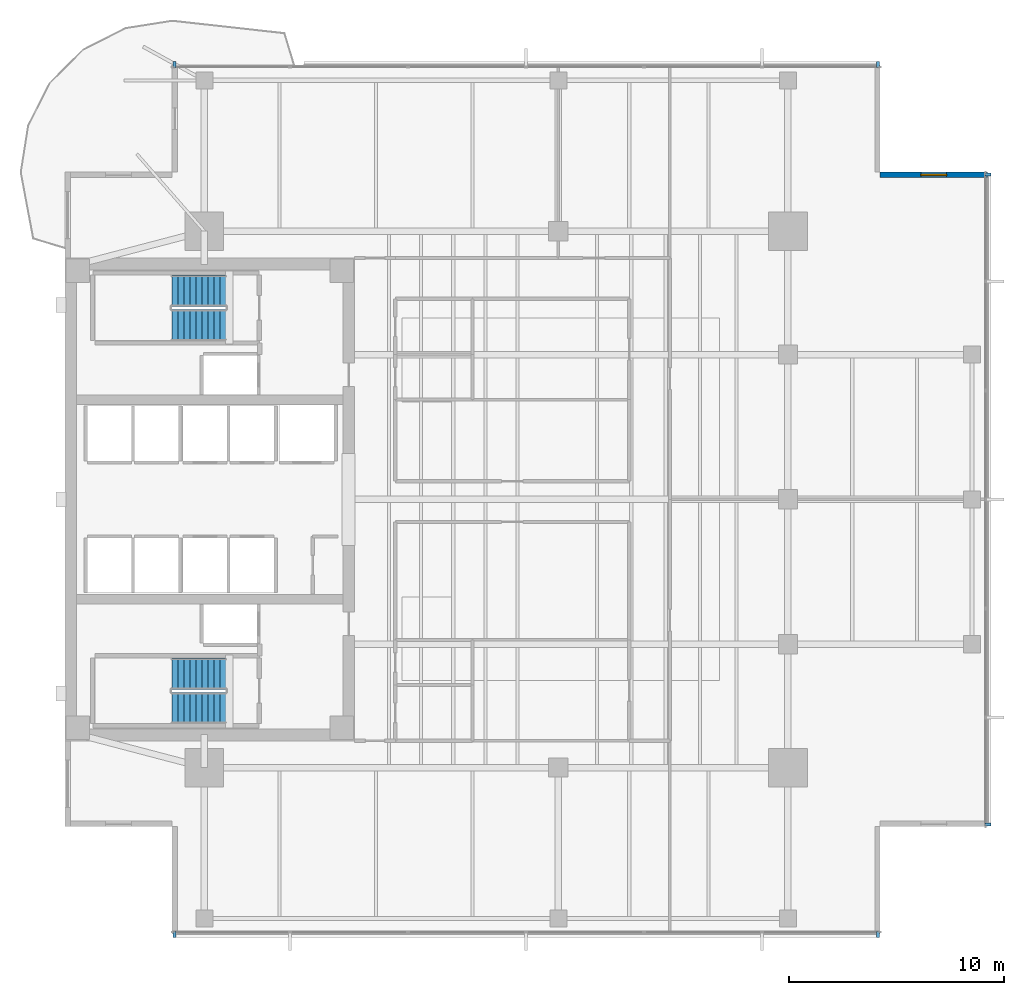
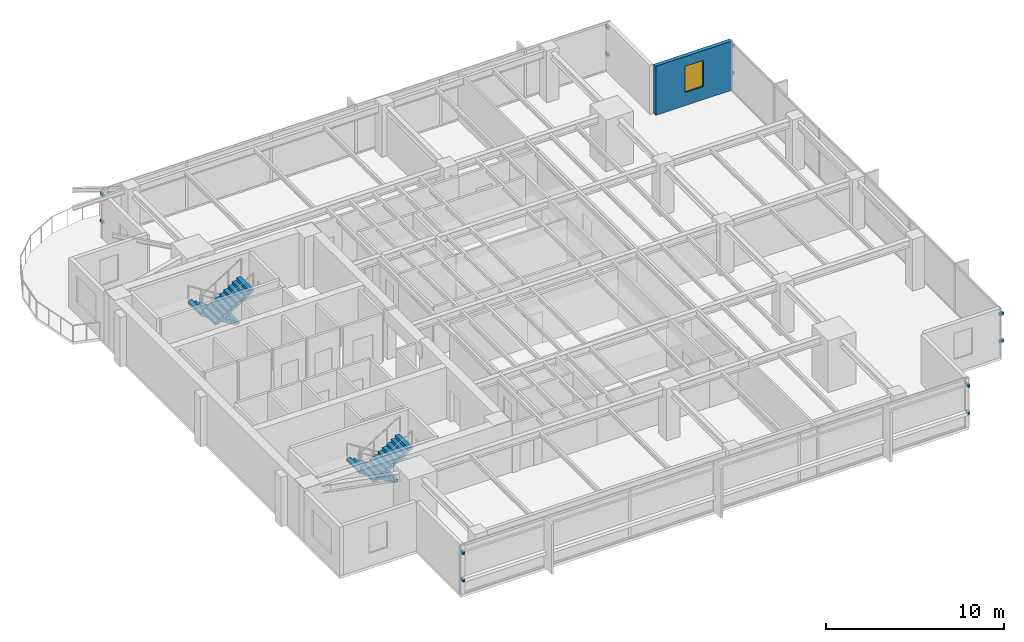
# One storey, part 10 of 14: 12 discrete accessories, 4 stair flights, 1 wall, 1 window, 1 opening, 2 elements without a shape of their own.
"""IFC4 building model written with IfcOpenShell, lengths in metres."""

import ifcopenshell
import ifcopenshell.guid

model = None  # the IFC model being written
_history = None  # IfcOwnerHistory: only IFC2X3 demands one
_inside = {}  # id of a spatial element -> (the spatial element, [elements in it])
_under = {}  # id of a project, library or spatial element -> (it, [spatial elements below it])
_declared = {}  # id of a project -> (the project, [libraries it declares])
_typed = {}  # id of a type object -> (the type object, [elements of that type])
_made_of = {}  # id of a material, layer set ... -> (it, [elements and type objects made of it])


def new_model(schema):
    """Start an empty IFC model of exactly this schema.

    Asked for "IFC4X3", IfcOpenShell would pick the latest addendum, in which some entities
    have other attributes; the version numbers below select the first issue.
    IFC2X3 requires an IfcOwnerHistory on every rooted entity: one is made here for all.
    """
    global model, _history
    if schema == "IFC4X3":
        model = ifcopenshell.file(schema_version=(4, 3, 0, 0))
    else:
        model = ifcopenshell.file(schema=schema)
    _inside.clear()
    _under.clear()
    _declared.clear()
    _typed.clear()
    _made_of.clear()
    _history = None
    if model.schema == "IFC2X3":
        org = make("IfcOrganization", Name="unknown")
        user = make(
            "IfcPersonAndOrganization",
            ThePerson=make("IfcPerson", FamilyName="unknown"),
            TheOrganization=org,
        )
        app = make(
            "IfcApplication",
            ApplicationDeveloper=org,
            Version="unknown",
            ApplicationFullName="unknown",
            ApplicationIdentifier="unknown",
        )
        _history = make(
            "IfcOwnerHistory",
            OwningUser=user,
            OwningApplication=app,
            ChangeAction="ADDED",
            CreationDate=0,
        )
    return model


def make(cls, **values):
    """One entity of the class cls with the attributes given. An attribute that is None is left unset."""
    return model.create_entity(
        cls, **{name: value for name, value in values.items() if value is not None}
    )


def rooted(cls, **values):
    """An entity with a GlobalId (a new one), such as an element, a storey or a relation."""
    return make(cls, GlobalId=ifcopenshell.guid.new(), OwnerHistory=_history, **values)


def si_unit(unit_type, name, prefix=None):
    """IfcSIUnit, for example si_unit("LENGTHUNIT", "METRE", prefix="MILLI")."""
    return make("IfcSIUnit", UnitType=unit_type, Prefix=prefix, Name=name)


def assignment(units):
    """IfcUnitAssignment: the units of a project."""
    return None if units is None else make("IfcUnitAssignment", Units=units)


def point(xyz):
    """IfcCartesianPoint."""
    return None if xyz is None else make("IfcCartesianPoint", Coordinates=xyz)


def direction(xyz):
    """IfcDirection."""
    return None if xyz is None else make("IfcDirection", DirectionRatios=xyz)


def frame(location, z_axis=None, x_axis=None):
    """IfcAxis2Placement3D, a coordinate frame: its origin and axes. An axis left out is left unset."""
    return make(
        "IfcAxis2Placement3D",
        Location=point(location),
        Axis=direction(z_axis),
        RefDirection=direction(x_axis),
    )


def frame_2d(location, x_axis=None):
    """IfcAxis2Placement2D, a coordinate frame in the plane: its origin and x axis."""
    return make(
        "IfcAxis2Placement2D", Location=point(location), RefDirection=direction(x_axis)
    )


def origin():
    """The frame at (0, 0, 0) with its axes left unset."""
    return frame((0.0, 0.0, 0.0))


def origin_2d():
    """The frame at (0, 0) in the plane with its x axis left unset."""
    return frame_2d((0.0, 0.0))


def place(relative_to, where):
    """IfcLocalPlacement: puts the frame where relative to a parent placement (None: the world)."""
    return make(
        "IfcLocalPlacement", PlacementRelTo=relative_to, RelativePlacement=where
    )


def context(
    kind, dimensions, precision=None, world=None, true_north=None, identifier=None
):
    """IfcGeometricRepresentationContext, for example the 3D "Model" context."""
    return make(
        "IfcGeometricRepresentationContext",
        ContextIdentifier=identifier,
        ContextType=kind,
        CoordinateSpaceDimension=dimensions,
        Precision=precision,
        WorldCoordinateSystem=world,
        TrueNorth=true_north,
    )


def subcontext(parent, identifier, kind, view, scale=None):
    """IfcGeometricRepresentationSubContext, for example "Body" below "Model"."""
    return make(
        "IfcGeometricRepresentationSubContext",
        ContextIdentifier=identifier,
        ContextType=kind,
        ParentContext=parent,
        TargetScale=scale,
        TargetView=view,
    )


def project(units=None, contexts=None):
    """IfcProject with its units and contexts."""
    return rooted(
        "IfcProject",
        Name="project",
        RepresentationContexts=contexts,
        UnitsInContext=assignment(units),
    )


def spatial(cls, under=None, at=None, **own):
    """A site, building, storey or space (cls), placed at a placement, below another one or the project."""
    s = rooted(cls, ObjectPlacement=at, **own)
    if under is not None:
        _under.setdefault(under.id(), (under, []))[1].append(s)
    return s


def polyline(points):
    """IfcPolyline through the points."""
    return make("IfcPolyline", Points=[point(p) for p in points])


def profile(cls, at=None, kind="AREA", **sizes):
    """A parametric profile (cls). Its sizes go by their IFC names, for example OverallWidth=200.0."""
    return make(cls, ProfileType=kind, Position=at, **sizes)


def rectangle(**sizes):
    """IfcRectangleProfileDef."""
    return profile("IfcRectangleProfileDef", **sizes)


def outline(outer, holes=None, kind="AREA"):
    """IfcArbitraryClosedProfileDef: a profile drawn as a closed curve; with holes, ...WithVoids."""
    if holes is None:
        return make("IfcArbitraryClosedProfileDef", ProfileType=kind, OuterCurve=outer)
    return make(
        "IfcArbitraryProfileDefWithVoids",
        ProfileType=kind,
        OuterCurve=outer,
        InnerCurves=holes,
    )


def extrude(swept, where, along, depth):
    """IfcExtrudedAreaSolid: the profile swept, set in the frame where, extruded along a direction by depth."""
    return make(
        "IfcExtrudedAreaSolid",
        SweptArea=swept,
        Position=where,
        ExtrudedDirection=direction(along),
        Depth=depth,
    )


def shape(context_of_items, identifier, shape_type, items):
    """IfcShapeRepresentation: the items that make up one representation, for example the "Body"."""
    return make(
        "IfcShapeRepresentation",
        ContextOfItems=context_of_items,
        RepresentationIdentifier=identifier,
        RepresentationType=shape_type,
        Items=items,
    )


def material(Name=None, Category=None):
    """IfcMaterial."""
    return make("IfcMaterial", Name=Name, Category=Category)


def layer(
    of_material, thickness, ventilated=None, Name=None, Category=None, Priority=None
):
    """IfcMaterialLayer: one layer of a wall or slab, of a material (None: an air gap)."""
    return make(
        "IfcMaterialLayer",
        Material=of_material,
        LayerThickness=thickness,
        IsVentilated=ventilated,
        Name=Name,
        Category=Category,
        Priority=Priority,
    )


def layer_set(layers, Name=None):
    """IfcMaterialLayerSet."""
    return make("IfcMaterialLayerSet", MaterialLayers=layers, LayerSetName=Name)


def made_of(thing, what):
    """Note that an element or type object is made of a material, layer set ...; save() writes the relation."""
    if what is not None:
        _made_of.setdefault(what.id(), (what, []))[1].append(thing)
    return thing


def type_object(cls, material=None, **own):
    """A type object (cls), such as IfcWallType, which elements share."""
    return made_of(rooted(cls, **own), material)


def element(
    cls,
    number,
    at=None,
    inside=None,
    cuts=None,
    type_object=None,
    material=None,
    context=None,
    identifier="Body",
    shape_type=None,
    held_by="IfcProductDefinitionShape",
    body=None,
    shapes=None,
    **own,
):
    """One element of the class cls, such as IfcWall. Its Tag is "e" and its number.

    at: its placement. inside: the storey or other place that contains it. cuts: it is an
    opening in that element (IfcRelVoidsElement). A single representation is given by context,
    identifier, shape_type and body (its items); several are given by shapes. held_by: the class
    of the entity that holds the representations. save() writes the other relations.
    """
    e = rooted(cls, Tag="e%d" % number, ObjectPlacement=at, **own)
    if body is not None:
        shapes = [shape(context, identifier, shape_type, body)]
    if shapes is not None:
        e.Representation = make(held_by, Representations=shapes)
    if inside is not None:
        _inside.setdefault(inside.id(), (inside, []))[1].append(e)
    if cuts is not None:
        rooted(
            "IfcRelVoidsElement", RelatingBuildingElement=cuts, RelatedOpeningElement=e
        )
    if type_object is not None:
        _typed.setdefault(type_object.id(), (type_object, []))[1].append(e)
    return made_of(e, material)


def fill(opening, filler):
    """IfcRelFillsElement: the door or window that sits in an opening."""
    return rooted(
        "IfcRelFillsElement",
        RelatingOpeningElement=opening,
        RelatedBuildingElement=filler,
    )


def aggregate(whole, parts):
    """IfcRelAggregates: a whole, such as a stair, and the parts it consists of."""
    return rooted("IfcRelAggregates", RelatingObject=whole, RelatedObjects=parts)


def save(model, path):
    """Write the relations noted so far, then the file.

    IfcRelAggregates (storeys below a building ...), IfcRelContainedInSpatialStructure (elements
    in a storey), IfcRelDefinesByType, IfcRelAssociatesMaterial and IfcRelDeclares: one each for
    every whole, place, type object, material and project.
    """
    for whole, parts in _under.values():
        aggregate(whole, parts)
    for where, things in _inside.values():
        rooted(
            "IfcRelContainedInSpatialStructure",
            RelatedElements=things,
            RelatingStructure=where,
        )
    for kind, things in _typed.values():
        rooted("IfcRelDefinesByType", RelatedObjects=things, RelatingType=kind)
    for what, things in _made_of.values():
        rooted("IfcRelAssociatesMaterial", RelatedObjects=things, RelatingMaterial=what)
    for by, libraries in _declared.values():
        rooted("IfcRelDeclares", RelatingContext=by, RelatedDefinitions=libraries)
    model.write(path)


model = new_model("IFC4")

# Units and contexts
model_context = context("Model", 3, precision=1e-05, world=origin(), true_north=direction((0.0, 1.0)))
body_context = subcontext(model_context, "Body", "Model", "MODEL_VIEW")
ifc_project = project(units=[si_unit("LENGTHUNIT", "METRE"), si_unit("AREAUNIT", "SQUARE_METRE"), si_unit("VOLUMEUNIT", "CUBIC_METRE"), si_unit("PLANEANGLEUNIT", "RADIAN"), si_unit("MASSUNIT", "GRAM", prefix="KILO")], contexts=[model_context])

# Site, building, storey
site_placement = place(None, origin())
site = spatial("IfcSite", under=ifc_project, at=site_placement, CompositionType="ELEMENT")
building_placement = place(site_placement, origin())
building = spatial("IfcBuilding", under=site, at=building_placement, Name="Kinhvarn Gate Tower", CompositionType="ELEMENT")
storey_placement = place(building_placement, frame((0.0, 0.0, 188.050048828125)))
storey = spatial("IfcBuildingStorey", under=building, at=storey_placement, Name="L49", CompositionType="ELEMENT", Elevation=188.050048828125)

# Wall, opening, window
ifc_material_1 = material(Name="Fired architectural terracotta", Category="masonry")
ifc_layer = layer(ifc_material_1, 0.25)
ifc_layer_set = layer_set([ifc_layer], Name="Fired architectural terracotta")
wall_type = type_object("IfcWallType", Name="WL-EXT-250", PredefinedType="SOLIDWALL", material=ifc_layer_set)
wall_placement = place(storey_placement, frame((47.5, 40.375, 0.0), z_axis=(0.0, 0.0, 1.0), x_axis=(-1.0, 0.0, 0.0)))
wall = element("IfcWall", 1, at=wall_placement, inside=storey, type_object=wall_type, Name="Exterior Solidwall Wall EW-250 (L49 NE-Notch-1)", PredefinedType="SOLIDWALL", context=body_context, shape_type="SweptSolid", body=[
    extrude(rectangle(XDim=5.0, YDim=0.25, at=frame_2d((2.5, 0.0))), origin(), (0.0, 0.0, 1.0), 3.369873046875),
])
opening_placement = place(wall_placement, frame((1.89990234375, 0.0, 0.89990234375)))
opening = element("IfcOpeningElement", 2, at=opening_placement, cuts=wall, Name="Opening WN-02", PredefinedType="OPENING", context=body_context, shape_type="SweptSolid", body=[
    extrude(rectangle(XDim=1.199951171875, YDim=1.800048828125, at=frame_2d((0.60009765625, 0.89990234375))), frame((0.0, 0.135009765625, 0.0), z_axis=(0.0, -1.0, 0.0), x_axis=(1.0, 0.0, 0.0)), (0.0, 0.0, 1.0), 0.27001953125),
])
ifc_material_2 = material(Name="Clear low-e double glazing", Category="glass")
window_type = type_object("IfcWindowType", Name="WIN-NTC-1200", PartitioningType="SINGLE_PANEL", PredefinedType="WINDOW", material=ifc_material_2)
window_placement = place(opening_placement, origin())
window = element("IfcWindow", 3, at=window_placement, inside=storey, type_object=window_type, Name="Recessed Corner Notch Punched Window 1200x1800 mm (L49)", OverallHeight=1.800048828125, OverallWidth=1.199951171875, PartitioningType="SINGLE_PANEL", PredefinedType="WINDOW", context=body_context, shape_type="SweptSolid", body=[
    extrude(rectangle(XDim=1.199951171875, YDim=1.800048828125, at=frame_2d((0.60009765625, 0.89990234375))), frame((0.0, 0.030029296875, 0.0), z_axis=(0.0, -1.0, 0.0), x_axis=(1.0, 0.0, 0.0)), (0.0, 0.0, 1.0), 0.06005859375),
])
fill(opening, window)

# Stair, stair flights
ifc_material_3 = material(Name="Concrete C40/50", Category="concrete")
stair_type = type_object("IfcStairType", Name="STR-DLG-177", PredefinedType="HALF_TURN_STAIR", material=ifc_material_3)
stair_1_placement = place(storey_placement, origin())
stair_1 = element("IfcStair", 4, at=stair_1_placement, inside=storey, type_object=stair_type, Name="L49 Core Smokeproof Exit Stair ST1", PredefinedType="HALF_TURN_STAIR")
stair_flight_type = type_object("IfcStairFlightType", Name="STF-DLG-177", PredefinedType="STRAIGHT", material=ifc_material_3)
stair_flight_1_placement = place(storey_placement, frame((12.0, 17.125, 0.0), z_axis=(0.0, 0.0, 1.0), x_axis=(-1.0, 0.0, 0.0)))
stair_flight_1 = element("IfcStairFlight", 5, at=stair_flight_1_placement, type_object=stair_flight_type, Name="ST1 flight 1", NumberOfRisers=10, NumberOfTreads=9, PredefinedType="STRAIGHT", RiserHeight=0.1775, TreadLength=0.28, context=body_context, shape_type="SweptSolid", body=[
    extrude(outline(polyline([(0.0, 0.0), (0.0, 0.177490234375), (0.280029296875, 0.177490234375), (0.280029296875, 0.35498046875), (0.56005859375, 0.35498046875), (0.56005859375, 0.532470703125), (0.840087890625, 0.532470703125), (0.840087890625, 0.7099609375), (1.1201171875, 0.7099609375), (1.1201171875, 0.887451171875), (1.39990234375, 0.887451171875), (1.39990234375, 1.06494140625), (1.679931640625, 1.06494140625), (1.679931640625, 1.242431640625), (1.9599609375, 1.242431640625), (1.9599609375, 1.419921875), (2.239990234375, 1.419921875), (2.239990234375, 1.597412109375), (2.52001953125, 1.597412109375), (2.52001953125, 1.77490234375), (2.52001953125, 1.419921875), (0.280029296875, 0.0), (0.0, 0.0)])), frame((0.0, 0.72509765625, 0.0), z_axis=(0.0, -1.0, 0.0), x_axis=(1.0, 0.0, 0.0)), (0.0, 0.0, 1.0), 1.449951171875),
])
stair_flight_2_placement = place(storey_placement, frame((9.47998046875, 15.52490234375, 1.77490234375), z_axis=(0.0, 0.0, 1.0), x_axis=(1.0, 0.0, 0.0)))
stair_flight_2 = element("IfcStairFlight", 6, at=stair_flight_2_placement, type_object=stair_flight_type, Name="ST1 flight 2", NumberOfRisers=10, NumberOfTreads=9, PredefinedType="STRAIGHT", RiserHeight=0.1775, TreadLength=0.28, context=body_context, shape_type="SweptSolid", body=[
    extrude(outline(polyline([(0.0, 0.0), (0.0, 0.177490234375), (0.280029296875, 0.177490234375), (0.280029296875, 0.35498046875), (0.56005859375, 0.35498046875), (0.56005859375, 0.532470703125), (0.840087890625, 0.532470703125), (0.840087890625, 0.7099609375), (1.1201171875, 0.7099609375), (1.1201171875, 0.887451171875), (1.39990234375, 0.887451171875), (1.39990234375, 1.06494140625), (1.679931640625, 1.06494140625), (1.679931640625, 1.242431640625), (1.9599609375, 1.242431640625), (1.9599609375, 1.419921875), (2.239990234375, 1.419921875), (2.239990234375, 1.597412109375), (2.52001953125, 1.597412109375), (2.52001953125, 1.77490234375), (2.52001953125, 1.419921875), (0.280029296875, 0.0), (0.0, 0.0)])), frame((0.0, 0.72509765625, 0.0), z_axis=(0.0, -1.0, 0.0), x_axis=(1.0, 0.0, 0.0)), (0.0, 0.0, 1.0), 1.449951171875),
])
aggregate(stair_1, [stair_flight_1, stair_flight_2])

stair_2_placement = place(storey_placement, origin())
stair_2 = element("IfcStair", 7, at=stair_2_placement, inside=storey, type_object=stair_type, Name="L49 Core Smokeproof Exit Stair ST2", PredefinedType="HALF_TURN_STAIR")
stair_flight_3_placement = place(storey_placement, frame((12.0, 34.97509765625, 0.0), z_axis=(0.0, 0.0, 1.0), x_axis=(-1.0, 0.0, 0.0)))
stair_flight_3 = element("IfcStairFlight", 8, at=stair_flight_3_placement, type_object=stair_flight_type, Name="ST2 flight 1", NumberOfRisers=10, NumberOfTreads=9, PredefinedType="STRAIGHT", RiserHeight=0.1775, TreadLength=0.28, context=body_context, shape_type="SweptSolid", body=[
    extrude(outline(polyline([(0.0, 0.0), (0.0, 0.177490234375), (0.280029296875, 0.177490234375), (0.280029296875, 0.35498046875), (0.56005859375, 0.35498046875), (0.56005859375, 0.532470703125), (0.840087890625, 0.532470703125), (0.840087890625, 0.7099609375), (1.1201171875, 0.7099609375), (1.1201171875, 0.887451171875), (1.39990234375, 0.887451171875), (1.39990234375, 1.06494140625), (1.679931640625, 1.06494140625), (1.679931640625, 1.242431640625), (1.9599609375, 1.242431640625), (1.9599609375, 1.419921875), (2.239990234375, 1.419921875), (2.239990234375, 1.597412109375), (2.52001953125, 1.597412109375), (2.52001953125, 1.77490234375), (2.52001953125, 1.419921875), (0.280029296875, 0.0), (0.0, 0.0)])), frame((0.0, 0.72509765625, 0.0), z_axis=(0.0, -1.0, 0.0), x_axis=(1.0, 0.0, 0.0)), (0.0, 0.0, 1.0), 1.449951171875),
])
stair_flight_4_placement = place(storey_placement, frame((9.47998046875, 33.375, 1.77490234375), z_axis=(0.0, 0.0, 1.0), x_axis=(1.0, 0.0, 0.0)))
stair_flight_4 = element("IfcStairFlight", 9, at=stair_flight_4_placement, type_object=stair_flight_type, Name="ST2 flight 2", NumberOfRisers=10, NumberOfTreads=9, PredefinedType="STRAIGHT", RiserHeight=0.1775, TreadLength=0.28, context=body_context, shape_type="SweptSolid", body=[
    extrude(outline(polyline([(0.0, 0.0), (0.0, 0.177490234375), (0.280029296875, 0.177490234375), (0.280029296875, 0.35498046875), (0.56005859375, 0.35498046875), (0.56005859375, 0.532470703125), (0.840087890625, 0.532470703125), (0.840087890625, 0.7099609375), (1.1201171875, 0.7099609375), (1.1201171875, 0.887451171875), (1.39990234375, 0.887451171875), (1.39990234375, 1.06494140625), (1.679931640625, 1.06494140625), (1.679931640625, 1.242431640625), (1.9599609375, 1.242431640625), (1.9599609375, 1.419921875), (2.239990234375, 1.419921875), (2.239990234375, 1.597412109375), (2.52001953125, 1.597412109375), (2.52001953125, 1.77490234375), (2.52001953125, 1.419921875), (0.280029296875, 0.0), (0.0, 0.0)])), frame((0.0, 0.72509765625, 0.0), z_axis=(0.0, -1.0, 0.0), x_axis=(1.0, 0.0, 0.0)), (0.0, 0.0, 1.0), 1.449951171875),
])
aggregate(stair_2, [stair_flight_3, stair_flight_4])

# Discrete accessories
ifc_material_4 = material(Name="Anodised aluminium AW-6063", Category="aluminium")
discrete_accessory_type = type_object("IfcDiscreteAccessoryType", Name="ACC-BRK-01", PredefinedType="BRACKET", material=ifc_material_4)
for number, where, z_axis, x_axis, name in (
    (10, (9.60009765625, 4.969970703125, 0.9599609375), (0.0, 0.0, 1.0), (1.0, 0.0, 0.0), "Baguette Support Bracket BK-01 (L49)"),
    (11, (9.60009765625, 4.969970703125, 2.830078125), (0.0, 0.0, 1.0), (1.0, 0.0, 0.0), "Baguette Support Bracket BK-01 (L49)"),
    (12, (42.39990234375, 4.969970703125, 0.9599609375), (0.0, 0.0, 1.0), (1.0, 0.0, 0.0), "Baguette Support Bracket BK-01 (L49)"),
    (13, (42.39990234375, 4.969970703125, 2.830078125), (0.0, 0.0, 1.0), (1.0, 0.0, 0.0), "Baguette Support Bracket BK-01 (L49)"),
    (14, (42.39990234375, 45.530029296875, 0.9599609375), (0.0, 0.0, 1.0), (-1.0, 0.0, 0.0), "Baguette Support Bracket BK-01 (L49)"),
    (15, (42.39990234375, 45.530029296875, 2.830078125), (0.0, 0.0, 1.0), (-1.0, 0.0, 0.0), "Baguette Support Bracket BK-01 (L49)"),
    (16, (9.60009765625, 45.530029296875, 0.9599609375), (0.0, 0.0, 1.0), (-1.0, 0.0, 0.0), "Baguette Support Bracket BK-01 (L49)"),
    (17, (9.60009765625, 45.530029296875, 2.830078125), (0.0, 0.0, 1.0), (-1.0, 0.0, 0.0), "Baguette Support Bracket BK-01 (L49)"),
    (18, (47.530029296875, 10.10009765625, 0.9599609375), (0.0, 0.0, 1.0), (0.0, 1.0, 0.0), "Baguette Support Bracket BK-01 (L49)"),
    (19, (47.530029296875, 10.10009765625, 2.830078125), (0.0, 0.0, 1.0), (0.0, 1.0, 0.0), "Baguette Support Bracket BK-01 (L49)"),
    (20, (47.530029296875, 40.39990234375, 0.9599609375), (0.0, 0.0, 1.0), (0.0, 1.0, 0.0), "Baguette Support Bracket BK-01 (L49)"),
    (21, (47.530029296875, 40.39990234375, 2.830078125), (0.0, 0.0, 1.0), (0.0, 1.0, 0.0), "Baguette Support Bracket BK-01 (L49)"),
):
    element("IfcDiscreteAccessory", number, at=place(storey_placement, frame(where, z_axis=z_axis, x_axis=x_axis)), inside=storey, type_object=discrete_accessory_type, Name=name, PredefinedType="BRACKET", context=body_context, shape_type="SweptSolid", body=[
        extrude(rectangle(XDim=0.139892578125, YDim=0.280029296875, at=origin_2d()), origin(), (0.0, 0.0, 1.0), 0.179931640625),
    ])

save(model, "model.ifc")
